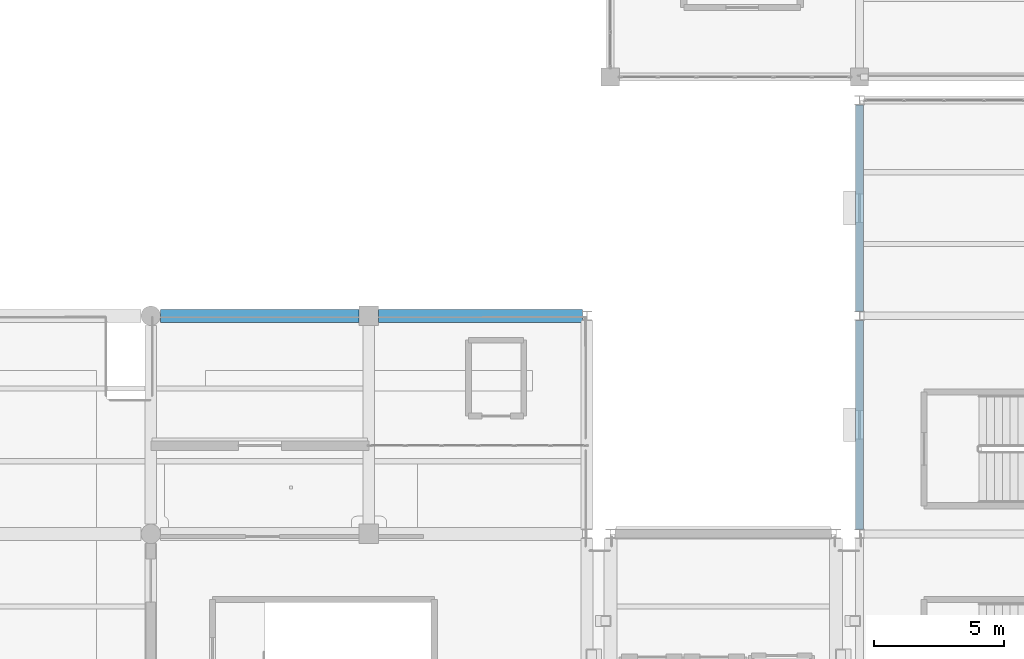
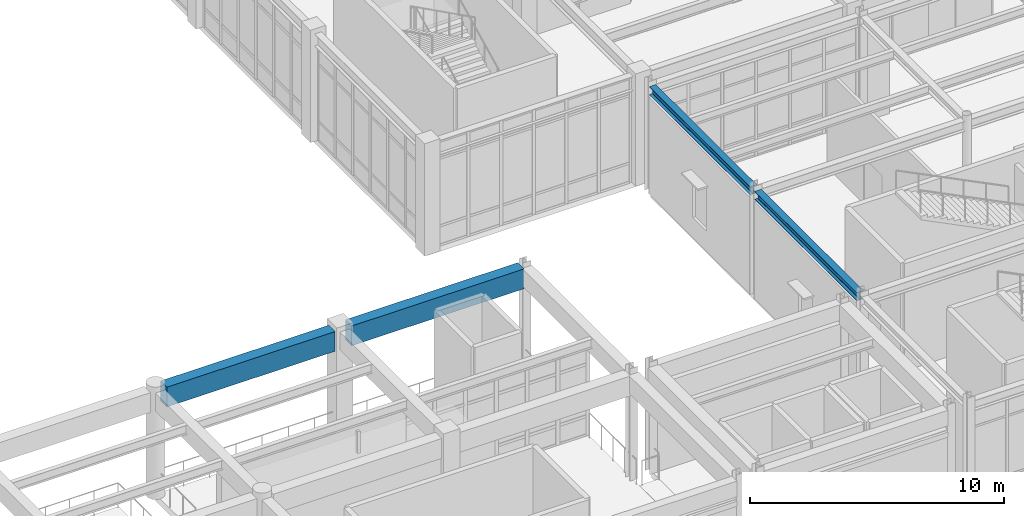
# One storey, part 9 of 80: 4 beams.
"""IFC4 building model written with IfcOpenShell, lengths in metres."""

from ifc_helpers import new_model, si_unit, direction, frame, origin, origin_2d, place, context, subcontext, project, spatial, rectangle, i_section, extrude, material, material_profile, profile_set, type_object, element, save


model = new_model("IFC4")

# Units and contexts
model_context = context("Model", 3, precision=1e-05, world=origin(), true_north=direction((0.0, 1.0)))
body_context = subcontext(model_context, "Body", "Model", "MODEL_VIEW")
ifc_project = project(units=[si_unit("LENGTHUNIT", "METRE"), si_unit("AREAUNIT", "SQUARE_METRE"), si_unit("VOLUMEUNIT", "CUBIC_METRE"), si_unit("PLANEANGLEUNIT", "RADIAN"), si_unit("MASSUNIT", "GRAM", prefix="KILO")], contexts=[model_context])

# Site, building, storey
site_placement = place(None, origin())
site = spatial("IfcSite", under=ifc_project, at=site_placement, CompositionType="ELEMENT")
building_placement = place(site_placement, origin())
building = spatial("IfcBuilding", under=site, at=building_placement, Name="Canglan Escarpment Cableway Terminal", CompositionType="ELEMENT")
storey_placement = place(building_placement, frame((0.0, 0.0, 19.199951171875)))
storey = spatial("IfcBuildingStorey", under=building, at=storey_placement, Name="L04", CompositionType="ELEMENT", Elevation=19.199951171875)

# Beams
ifc_material_1 = material(Name="Steel Q355B", Category="steel")
ifc_material_profile_1 = material_profile(ifc_material_1, i_section(OverallWidth=0.300048828125, OverallDepth=0.389892578125, WebThickness=0.010009765625, FlangeThickness=0.01611328125, FilletRadius=0.02197265625, at=origin_2d()), Name="HM 390x300x10x16")
ifc_profile_set_1 = profile_set([ifc_material_profile_1], Name="Steel Q355B")
beam_type_1 = type_object("IfcBeamType", Name="BM-ARCH-TOP-HM390", PredefinedType="BEAM", material=ifc_profile_set_1)
beam_1_placement = place(storey_placement, frame((147.199951171875, 16.574951171875, 4.965087890625), z_axis=(0.0, 1.0, 0.0), x_axis=(-1.0, 0.0, 0.0)))
element("IfcBeam", 1, at=beam_1_placement, inside=storey, type_object=beam_type_1, Name="Primary transverse girder AR-TC1", PredefinedType="BEAM", context=body_context, shape_type="SweptSolid", body=[
    extrude(i_section(OverallWidth=0.300048828125, OverallDepth=0.389892578125, WebThickness=0.010009765625, FlangeThickness=0.01611328125, FilletRadius=0.02197265625, at=origin_2d()), origin(), (0.0, 0.0, 1.0), 8.050048828125),
])
beam_2_placement = place(storey_placement, frame((147.199951171875, 24.97509765625, 4.965087890625), z_axis=(0.0, 1.0, 0.0), x_axis=(-1.0, 0.0, 0.0)))
element("IfcBeam", 2, at=beam_2_placement, inside=storey, type_object=beam_type_1, Name="Primary transverse girder AR-TC1", PredefinedType="BEAM", context=body_context, shape_type="SweptSolid", body=[
    extrude(i_section(OverallWidth=0.300048828125, OverallDepth=0.389892578125, WebThickness=0.010009765625, FlangeThickness=0.01611328125, FilletRadius=0.02197265625, at=origin_2d()), origin(), (0.0, 0.0, 1.0), 7.949951171875),
])
ifc_material_2 = material(Name="Concrete C50", Category="concrete")
ifc_material_profile_2 = material_profile(ifc_material_2, rectangle(XDim=0.5, YDim=0.949951171875, at=origin_2d()), Name="RC 500x950")
ifc_profile_set_2 = profile_set([ifc_material_profile_2], Name="Concrete C50")
beam_type_2 = type_object("IfcBeamType", Name="BM-RC500x950", PredefinedType="BEAM", material=ifc_profile_set_2)
beam_3_placement = place(storey_placement, frame((120.27490234375, 24.800048828125, 4.68505859375), z_axis=(1.0, 0.0, 0.0), x_axis=(0.0, 1.0, 0.0)))
element("IfcBeam", 3, at=beam_3_placement, inside=storey, type_object=beam_type_2, Name="Primary structural girder B-01", PredefinedType="BEAM", context=body_context, shape_type="SweptSolid", body=[
    extrude(rectangle(XDim=0.5, YDim=0.949951171875, at=origin_2d()), origin(), (0.0, 0.0, 1.0), 7.650146484375),
])
beam_4_placement = place(storey_placement, frame((128.675048828125, 24.800048828125, 4.68505859375), z_axis=(1.0, 0.0, 0.0), x_axis=(0.0, 1.0, 0.0)))
element("IfcBeam", 4, at=beam_4_placement, inside=storey, type_object=beam_type_2, Name="Primary structural girder B-01", PredefinedType="BEAM", context=body_context, shape_type="SweptSolid", body=[
    extrude(rectangle(XDim=0.5, YDim=0.949951171875, at=origin_2d()), origin(), (0.0, 0.0, 1.0), 7.849853515625),
])

save(model, "model.ifc")
